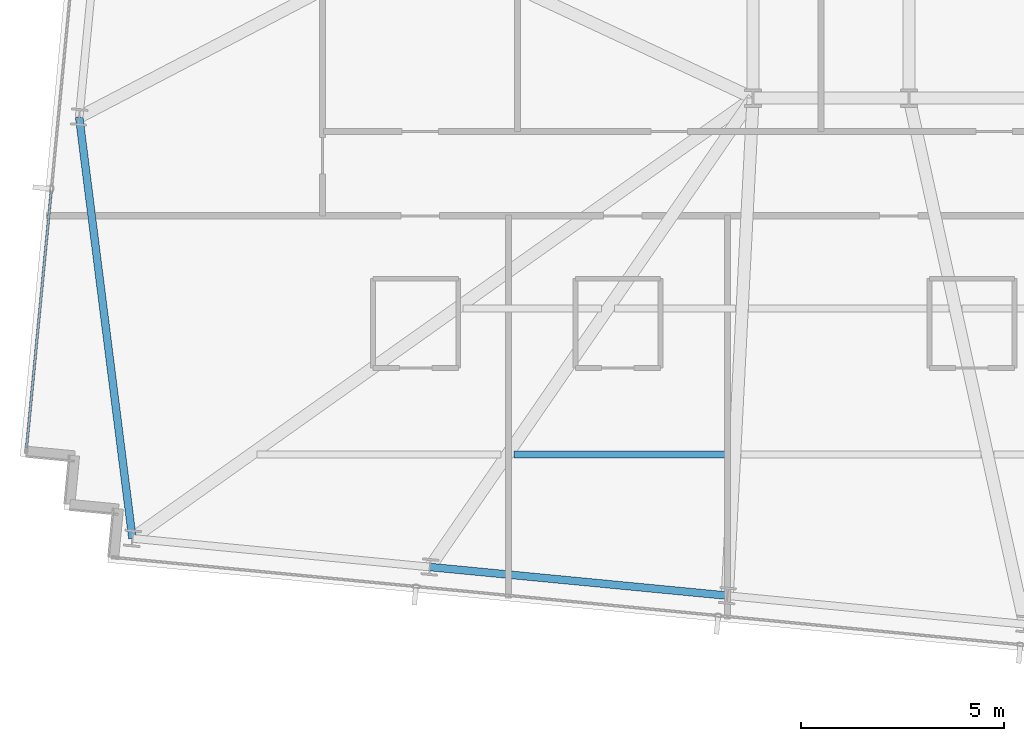
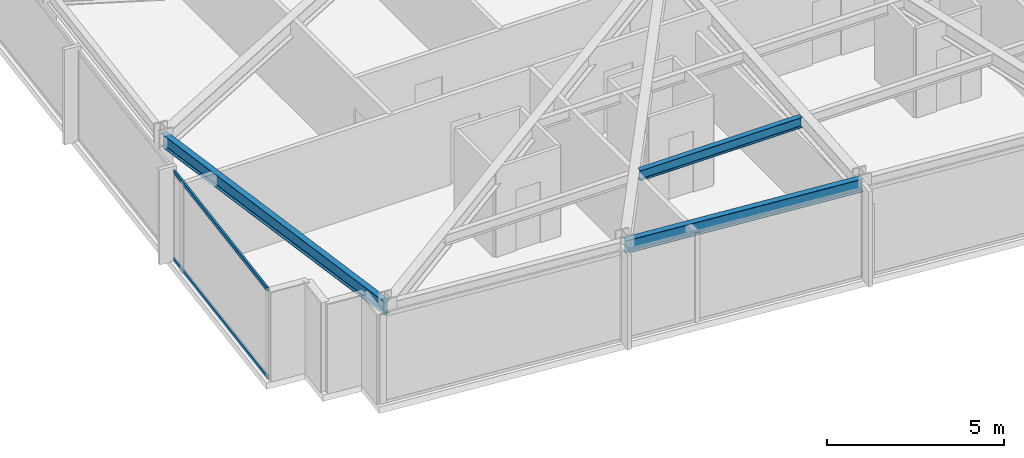
# One storey, part 3 of 37: 3 beams, 2 members, 1 element without a shape of its own.
"""IFC4 building model written with IfcOpenShell, lengths in metres."""

from ifc_helpers import new_model, si_unit, direction, frame, origin, origin_2d, place, context, subcontext, project, spatial, hollow_rectangle, i_section, extrude, material, material_profile, profile_set, type_object, element, aggregate, save


model = new_model("IFC4")

# Units and contexts
model_context = context("Model", 3, precision=1e-05, world=origin(), true_north=direction((0.0, 1.0)))
body_context = subcontext(model_context, "Body", "Model", "MODEL_VIEW")
ifc_project = project(units=[si_unit("LENGTHUNIT", "METRE"), si_unit("AREAUNIT", "SQUARE_METRE"), si_unit("VOLUMEUNIT", "CUBIC_METRE"), si_unit("PLANEANGLEUNIT", "RADIAN"), si_unit("MASSUNIT", "GRAM", prefix="KILO")], contexts=[model_context])

# Site, building, storey
site_placement = place(None, origin())
site = spatial("IfcSite", under=ifc_project, at=site_placement, CompositionType="ELEMENT")
building_placement = place(site_placement, origin())
building = spatial("IfcBuilding", under=site, at=building_placement, Name="Yelkora Congress Tower", CompositionType="ELEMENT")
storey_placement = place(building_placement, frame((0.0, 0.0, 168.800048828125)))
storey = spatial("IfcBuildingStorey", under=building, at=storey_placement, Name="L46", CompositionType="ELEMENT", Elevation=168.800048828125)

# Beams
ifc_material_1 = material(Name="Steel S355J2", Category="steel")
ifc_material_profile_1 = material_profile(ifc_material_1, i_section(OverallWidth=0.169921875, OverallDepth=0.360107421875, WebThickness=0.008056640625, FlangeThickness=0.0126953125, FilletRadius=0.01806640625, at=origin_2d()), Name="IPE 360")
ifc_profile_set_1 = profile_set([ifc_material_profile_1], Name="Steel S355J2")
beam_type_1 = type_object("IfcBeamType", Name="BM-JOIST-IPE360", PredefinedType="JOIST", material=ifc_profile_set_1)
beam_1_placement = place(storey_placement, frame((13.310546875, 16.421142578125, 2.89990234375), z_axis=(1.0, 0.0, 0.0), x_axis=(0.0, 1.0, 0.0)))
element("IfcBeam", 1, at=beam_1_placement, inside=storey, type_object=beam_type_1, Name="L46 Composite Floor Joist 6", PredefinedType="JOIST", context=body_context, shape_type="SweptSolid", body=[
    extrude(i_section(OverallWidth=0.169921875, OverallDepth=0.360107421875, WebThickness=0.008056640625, FlangeThickness=0.0126953125, FilletRadius=0.01806640625, at=origin_2d()), origin(), (0.0, 0.0, 1.0), 5.275146484375),
])
ifc_material_profile_2 = material_profile(ifc_material_1, i_section(OverallWidth=0.18994140625, OverallDepth=0.449951171875, WebThickness=0.009521484375, FlangeThickness=0.0146484375, FilletRadius=0.02099609375, at=origin_2d()), Name="IPE 450")
ifc_profile_set_2 = profile_set([ifc_material_profile_2], Name="Steel S355J2")
beam_type_2 = type_object("IfcBeamType", Name="BM-SPAN-IPE450", PredefinedType="SPANDREL", material=ifc_profile_set_2)
beam_2_placement = place(storey_placement, frame((2.607421875, 24.730712890625, 2.85498046875), z_axis=(0.125457133578, -0.992099041243, 0.0), x_axis=(0.992099041243, 0.125457133578, 0.0)))
element("IfcBeam", 2, at=beam_2_placement, inside=storey, type_object=beam_type_2, Name="L46 Perimeter Beam 1", PredefinedType="SPANDREL", context=body_context, shape_type="SweptSolid", body=[
    extrude(i_section(OverallWidth=0.18994140625, OverallDepth=0.449951171875, WebThickness=0.009521484375, FlangeThickness=0.0146484375, FilletRadius=0.02099609375, at=origin_2d()), origin(), (0.0, 0.0, 1.0), 10.455810546875),
])
beam_3_placement = place(storey_placement, frame((11.242431640625, 13.652099609375, 2.85498046875), z_axis=(0.995397409467, -0.095833173935, 0.0), x_axis=(0.095833173935, 0.995397409467, 0.0)))
element("IfcBeam", 3, at=beam_3_placement, inside=storey, type_object=beam_type_2, Name="L46 Perimeter Beam 3", PredefinedType="SPANDREL", context=body_context, shape_type="SweptSolid", body=[
    extrude(i_section(OverallWidth=0.18994140625, OverallDepth=0.449951171875, WebThickness=0.009521484375, FlangeThickness=0.0146484375, FilletRadius=0.02099609375, at=origin_2d()), origin(), (0.0, 0.0, 1.0), 7.357421875),
])

# Curtain wall, members
ifc_material_2 = material(Name="Anodised aluminium and insulated glass", Category="aluminium")
curtain_wall_type = type_object("IfcCurtainWallType", Name="CW-SYS-B3", PredefinedType="NOTDEFINED", material=ifc_material_2)
curtain_wall_placement = place(storey_placement, origin())
curtain_wall = element("IfcCurtainWall", 4, at=curtain_wall_placement, inside=storey, type_object=curtain_wall_type, Name="L46 Unitised Curtain Wall 5", PredefinedType="NOTDEFINED")
ifc_material_3 = material(Name="Anodised aluminium 6063-T6", Category="aluminium")
ifc_material_profile_3 = material_profile(ifc_material_3, hollow_rectangle(XDim=0.06005859375, YDim=0.1298828125, WallThickness=0.00390625, at=origin_2d()), Name="ALU 60x130x4")
ifc_profile_set_3 = profile_set([ifc_material_profile_3], Name="Anodised aluminium 6063-T6")
member_type = type_object("IfcMemberType", Name="MEM-TR-B3", PredefinedType="USERDEFINED", material=ifc_profile_set_3)
member_1_placement = place(storey_placement, frame((1.31005859375, 16.57763671875, 0.030029296875), z_axis=(0.095834923543, 0.99539724102, 0.0), x_axis=(-0.99539724102, 0.095834923543, 0.0)))
member_1 = element("IfcMember", 5, at=member_1_placement, type_object=member_type, Name="CW-B3 transom 1.1", ObjectType="TRANSOM", PredefinedType="USERDEFINED", context=body_context, shape_type="SweptSolid", body=[
    extrude(hollow_rectangle(XDim=0.06005859375, YDim=0.1298828125, WallThickness=0.00390625, at=origin_2d()), origin(), (0.0, 0.0, 1.0), 6.37890625),
])
member_2_placement = place(storey_placement, frame((1.31005859375, 16.57763671875, 3.050048828125), z_axis=(0.095834923543, 0.99539724102, 0.0), x_axis=(-0.99539724102, 0.095834923543, 0.0)))
member_2 = element("IfcMember", 6, at=member_2_placement, type_object=member_type, Name="CW-B3 transom 1.2", ObjectType="TRANSOM", PredefinedType="USERDEFINED", context=body_context, shape_type="SweptSolid", body=[
    extrude(hollow_rectangle(XDim=0.06005859375, YDim=0.1298828125, WallThickness=0.00390625, at=origin_2d()), origin(), (0.0, 0.0, 1.0), 6.37890625),
])
aggregate(curtain_wall, [member_1, member_2])

save(model, "model.ifc")
